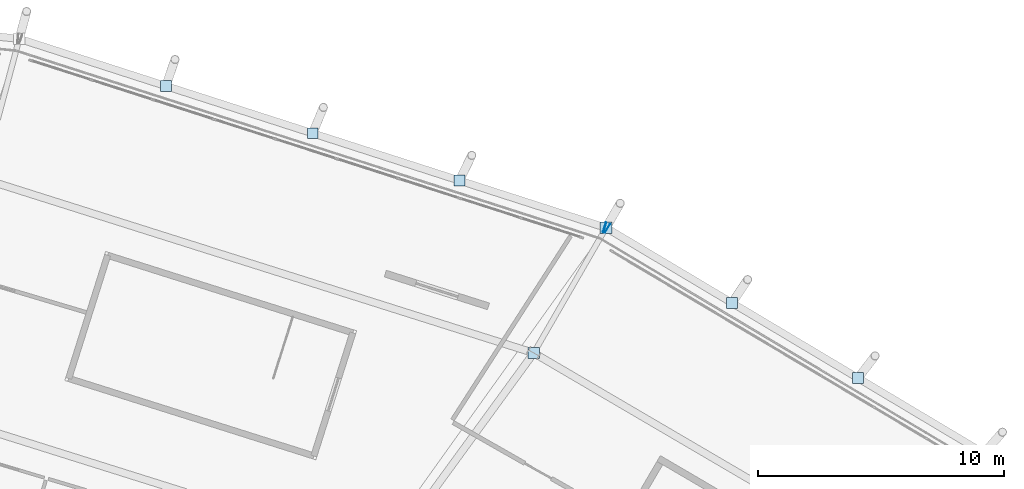
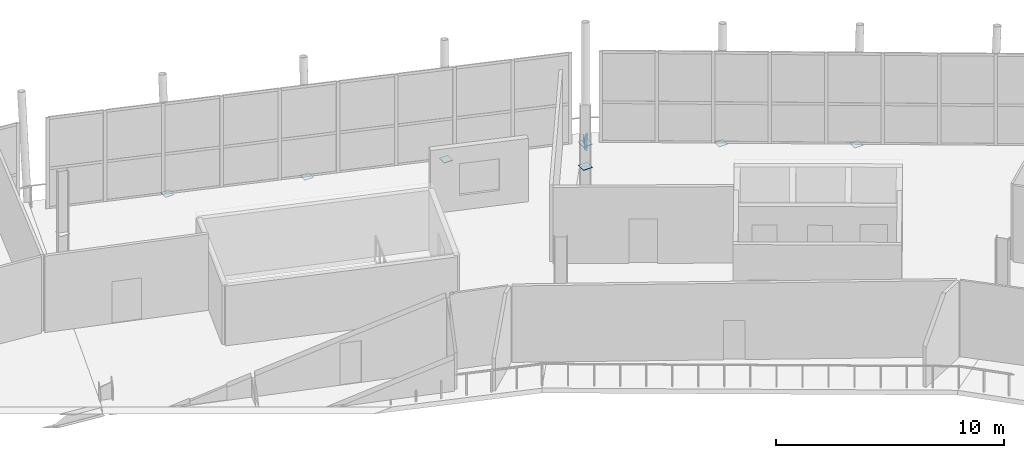
# One storey, part 80 of 99: 9 plates.
"""IFC4 building model written with IfcOpenShell, lengths in metres."""

import ifcopenshell
import ifcopenshell.guid

model = None  # the IFC model being written
_history = None  # IfcOwnerHistory: only IFC2X3 demands one
_inside = {}  # id of a spatial element -> (the spatial element, [elements in it])
_under = {}  # id of a project, library or spatial element -> (it, [spatial elements below it])
_declared = {}  # id of a project -> (the project, [libraries it declares])
_typed = {}  # id of a type object -> (the type object, [elements of that type])
_made_of = {}  # id of a material, layer set ... -> (it, [elements and type objects made of it])


def new_model(schema):
    """Start an empty IFC model of exactly this schema.

    Asked for "IFC4X3", IfcOpenShell would pick the latest addendum, in which some entities
    have other attributes; the version numbers below select the first issue.
    IFC2X3 requires an IfcOwnerHistory on every rooted entity: one is made here for all.
    """
    global model, _history
    if schema == "IFC4X3":
        model = ifcopenshell.file(schema_version=(4, 3, 0, 0))
    else:
        model = ifcopenshell.file(schema=schema)
    _inside.clear()
    _under.clear()
    _declared.clear()
    _typed.clear()
    _made_of.clear()
    _history = None
    if model.schema == "IFC2X3":
        org = make("IfcOrganization", Name="unknown")
        user = make(
            "IfcPersonAndOrganization",
            ThePerson=make("IfcPerson", FamilyName="unknown"),
            TheOrganization=org,
        )
        app = make(
            "IfcApplication",
            ApplicationDeveloper=org,
            Version="unknown",
            ApplicationFullName="unknown",
            ApplicationIdentifier="unknown",
        )
        _history = make(
            "IfcOwnerHistory",
            OwningUser=user,
            OwningApplication=app,
            ChangeAction="ADDED",
            CreationDate=0,
        )
    return model


def make(cls, **values):
    """One entity of the class cls with the attributes given. An attribute that is None is left unset."""
    return model.create_entity(
        cls, **{name: value for name, value in values.items() if value is not None}
    )


def rooted(cls, **values):
    """An entity with a GlobalId (a new one), such as an element, a storey or a relation."""
    return make(cls, GlobalId=ifcopenshell.guid.new(), OwnerHistory=_history, **values)


def si_unit(unit_type, name, prefix=None):
    """IfcSIUnit, for example si_unit("LENGTHUNIT", "METRE", prefix="MILLI")."""
    return make("IfcSIUnit", UnitType=unit_type, Prefix=prefix, Name=name)


def assignment(units):
    """IfcUnitAssignment: the units of a project."""
    return None if units is None else make("IfcUnitAssignment", Units=units)


def point(xyz):
    """IfcCartesianPoint."""
    return None if xyz is None else make("IfcCartesianPoint", Coordinates=xyz)


def direction(xyz):
    """IfcDirection."""
    return None if xyz is None else make("IfcDirection", DirectionRatios=xyz)


def frame(location, z_axis=None, x_axis=None):
    """IfcAxis2Placement3D, a coordinate frame: its origin and axes. An axis left out is left unset."""
    return make(
        "IfcAxis2Placement3D",
        Location=point(location),
        Axis=direction(z_axis),
        RefDirection=direction(x_axis),
    )


def frame_2d(location, x_axis=None):
    """IfcAxis2Placement2D, a coordinate frame in the plane: its origin and x axis."""
    return make(
        "IfcAxis2Placement2D", Location=point(location), RefDirection=direction(x_axis)
    )


def origin():
    """The frame at (0, 0, 0) with its axes left unset."""
    return frame((0.0, 0.0, 0.0))


def origin_2d():
    """The frame at (0, 0) in the plane with its x axis left unset."""
    return frame_2d((0.0, 0.0))


def place(relative_to, where):
    """IfcLocalPlacement: puts the frame where relative to a parent placement (None: the world)."""
    return make(
        "IfcLocalPlacement", PlacementRelTo=relative_to, RelativePlacement=where
    )


def context(
    kind, dimensions, precision=None, world=None, true_north=None, identifier=None
):
    """IfcGeometricRepresentationContext, for example the 3D "Model" context."""
    return make(
        "IfcGeometricRepresentationContext",
        ContextIdentifier=identifier,
        ContextType=kind,
        CoordinateSpaceDimension=dimensions,
        Precision=precision,
        WorldCoordinateSystem=world,
        TrueNorth=true_north,
    )


def subcontext(parent, identifier, kind, view, scale=None):
    """IfcGeometricRepresentationSubContext, for example "Body" below "Model"."""
    return make(
        "IfcGeometricRepresentationSubContext",
        ContextIdentifier=identifier,
        ContextType=kind,
        ParentContext=parent,
        TargetScale=scale,
        TargetView=view,
    )


def project(units=None, contexts=None):
    """IfcProject with its units and contexts."""
    return rooted(
        "IfcProject",
        Name="project",
        RepresentationContexts=contexts,
        UnitsInContext=assignment(units),
    )


def spatial(cls, under=None, at=None, **own):
    """A site, building, storey or space (cls), placed at a placement, below another one or the project."""
    s = rooted(cls, ObjectPlacement=at, **own)
    if under is not None:
        _under.setdefault(under.id(), (under, []))[1].append(s)
    return s


def profile(cls, at=None, kind="AREA", **sizes):
    """A parametric profile (cls). Its sizes go by their IFC names, for example OverallWidth=200.0."""
    return make(cls, ProfileType=kind, Position=at, **sizes)


def rectangle(**sizes):
    """IfcRectangleProfileDef."""
    return profile("IfcRectangleProfileDef", **sizes)


def extrude(swept, where, along, depth):
    """IfcExtrudedAreaSolid: the profile swept, set in the frame where, extruded along a direction by depth."""
    return make(
        "IfcExtrudedAreaSolid",
        SweptArea=swept,
        Position=where,
        ExtrudedDirection=direction(along),
        Depth=depth,
    )


def shape(context_of_items, identifier, shape_type, items):
    """IfcShapeRepresentation: the items that make up one representation, for example the "Body"."""
    return make(
        "IfcShapeRepresentation",
        ContextOfItems=context_of_items,
        RepresentationIdentifier=identifier,
        RepresentationType=shape_type,
        Items=items,
    )


def material(Name=None, Category=None):
    """IfcMaterial."""
    return make("IfcMaterial", Name=Name, Category=Category)


def layer(
    of_material, thickness, ventilated=None, Name=None, Category=None, Priority=None
):
    """IfcMaterialLayer: one layer of a wall or slab, of a material (None: an air gap)."""
    return make(
        "IfcMaterialLayer",
        Material=of_material,
        LayerThickness=thickness,
        IsVentilated=ventilated,
        Name=Name,
        Category=Category,
        Priority=Priority,
    )


def layer_set(layers, Name=None):
    """IfcMaterialLayerSet."""
    return make("IfcMaterialLayerSet", MaterialLayers=layers, LayerSetName=Name)


def made_of(thing, what):
    """Note that an element or type object is made of a material, layer set ...; save() writes the relation."""
    if what is not None:
        _made_of.setdefault(what.id(), (what, []))[1].append(thing)
    return thing


def type_object(cls, material=None, **own):
    """A type object (cls), such as IfcWallType, which elements share."""
    return made_of(rooted(cls, **own), material)


def element(
    cls,
    number,
    at=None,
    inside=None,
    cuts=None,
    type_object=None,
    material=None,
    context=None,
    identifier="Body",
    shape_type=None,
    held_by="IfcProductDefinitionShape",
    body=None,
    shapes=None,
    **own,
):
    """One element of the class cls, such as IfcWall. Its Tag is "e" and its number.

    at: its placement. inside: the storey or other place that contains it. cuts: it is an
    opening in that element (IfcRelVoidsElement). A single representation is given by context,
    identifier, shape_type and body (its items); several are given by shapes. held_by: the class
    of the entity that holds the representations. save() writes the other relations.
    """
    e = rooted(cls, Tag="e%d" % number, ObjectPlacement=at, **own)
    if body is not None:
        shapes = [shape(context, identifier, shape_type, body)]
    if shapes is not None:
        e.Representation = make(held_by, Representations=shapes)
    if inside is not None:
        _inside.setdefault(inside.id(), (inside, []))[1].append(e)
    if cuts is not None:
        rooted(
            "IfcRelVoidsElement", RelatingBuildingElement=cuts, RelatedOpeningElement=e
        )
    if type_object is not None:
        _typed.setdefault(type_object.id(), (type_object, []))[1].append(e)
    return made_of(e, material)


def aggregate(whole, parts):
    """IfcRelAggregates: a whole, such as a stair, and the parts it consists of."""
    return rooted("IfcRelAggregates", RelatingObject=whole, RelatedObjects=parts)


def save(model, path):
    """Write the relations noted so far, then the file.

    IfcRelAggregates (storeys below a building ...), IfcRelContainedInSpatialStructure (elements
    in a storey), IfcRelDefinesByType, IfcRelAssociatesMaterial and IfcRelDeclares: one each for
    every whole, place, type object, material and project.
    """
    for whole, parts in _under.values():
        aggregate(whole, parts)
    for where, things in _inside.values():
        rooted(
            "IfcRelContainedInSpatialStructure",
            RelatedElements=things,
            RelatingStructure=where,
        )
    for kind, things in _typed.values():
        rooted("IfcRelDefinesByType", RelatedObjects=things, RelatingType=kind)
    for what, things in _made_of.values():
        rooted("IfcRelAssociatesMaterial", RelatedObjects=things, RelatingMaterial=what)
    for by, libraries in _declared.values():
        rooted("IfcRelDeclares", RelatingContext=by, RelatedDefinitions=libraries)
    model.write(path)


model = new_model("IFC4")

# Units and contexts
model_context = context("Model", 3, precision=1e-05, world=origin(), true_north=direction((0.0, 1.0)))
body_context = subcontext(model_context, "Body", "Model", "MODEL_VIEW")
ifc_project = project(units=[si_unit("LENGTHUNIT", "METRE"), si_unit("AREAUNIT", "SQUARE_METRE"), si_unit("VOLUMEUNIT", "CUBIC_METRE"), si_unit("PLANEANGLEUNIT", "RADIAN"), si_unit("MASSUNIT", "GRAM", prefix="KILO")], contexts=[model_context])

# Site, building, storey
site_placement = place(None, origin())
site = spatial("IfcSite", under=ifc_project, at=site_placement, CompositionType="ELEMENT")
building_placement = place(site_placement, origin())
building = spatial("IfcBuilding", under=site, at=building_placement, Name="Zlatoyarsky Gate Stadium", CompositionType="ELEMENT")
storey_placement = place(building_placement, frame((0.0, 0.0, 26.199951171875)))
storey = spatial("IfcBuildingStorey", under=building, at=storey_placement, Name="L05", CompositionType="ELEMENT", Elevation=26.199951171875)

# Plates
ifc_material = material(Name="Steel S355", Category="steel")
ifc_layer = layer(ifc_material, 0.02392578125)
ifc_layer_set = layer_set([ifc_layer], Name="Steel S355")
plate_type = type_object("IfcPlateType", Name="STEEL HOLLOW CHORD SPLICE SHEET 24", PredefinedType="SHEET", material=ifc_layer_set)
for number, where, z_axis, x_axis, name in (
    (1, (160.490478515625, 146.547607421875, -0.81005859375), (0.0, 0.0, 1.0), (-0.858777552781, 0.51234862627, 0.0), "Hollow end cap ND-SP1 CAP-L05-SPD-03 B"),
    (2, (160.382080078125, 146.5966796875, -0.81005859375), (0.0, 0.0, 1.0), (-0.951856313904, 0.306544544365, 0.0), "Hollow end cap ND-SP1 CAP-L05-SPD-04 A"),
):
    element("IfcPlate", number, at=place(storey_placement, frame(where, z_axis=z_axis, x_axis=x_axis)), inside=storey, type_object=plate_type, Name=name, PredefinedType="SHEET", context=body_context, shape_type="SweptSolid", body=[
        extrude(rectangle(XDim=0.02392578125, YDim=0.39990234375, at=origin_2d()), origin(), (0.0, 0.0, 1.0), 0.60009765625),
    ])
plate_1_placement = place(storey_placement, frame((160.439208984375, 146.578369140625, -0.572021484375), z_axis=(0.0, 0.0, 1.0), x_axis=(1.0, 0.0, 0.0)))
element("IfcPlate", 3, at=plate_1_placement, inside=storey, type_object=plate_type, Name="Node closure plate ND-SP1 NCAP-L05-RSTR-04", PredefinedType="SHEET", context=body_context, shape_type="SweptSolid", body=[
    extrude(rectangle(XDim=0.47998046875, YDim=0.47998046875, at=origin_2d()), origin(), (0.0, 0.0, 1.0), 0.02392578125),
])
for number, where, z_axis, x_axis, name in (
    (4, (170.67822265625, 140.4697265625, -0.52197265625), (0.0, 0.0, 1.0), (1.0, 0.0, 0.0), "Node closure plate ND-SP1 NCAP-RIB-03-2-3T"),
    (5, (165.55859375, 143.52392578125, -0.52197265625), (0.0, 0.0, 1.0), (1.0, 0.0, 0.0), "Node closure plate ND-SP1 NCAP-RIB-03-3-3T"),
    (6, (154.477294921875, 148.498291015625, -0.52197265625), (0.0, 0.0, 1.0), (1.0, 0.0, 0.0), "Node closure plate ND-SP1 NCAP-RIB-04-1-3T"),
    (7, (148.515380859375, 150.41845703125, -0.52197265625), (0.0, 0.0, 1.0), (1.0, 0.0, 0.0), "Node closure plate ND-SP1 NCAP-RIB-04-2-3T"),
    (8, (142.553466796875, 152.33837890625, -0.52197265625), (0.0, 0.0, 1.0), (1.0, 0.0, 0.0), "Node closure plate ND-SP1 NCAP-RIB-04-3-3T"),
):
    element("IfcPlate", number, at=place(storey_placement, frame(where, z_axis=z_axis, x_axis=x_axis)), inside=storey, type_object=plate_type, Name=name, PredefinedType="SHEET", context=body_context, shape_type="SweptSolid", body=[
        extrude(rectangle(XDim=0.43994140625, YDim=0.43994140625, at=origin_2d()), origin(), (0.0, 0.0, 1.0), 0.02392578125),
    ])
plate_2_placement = place(storey_placement, frame((157.5, 141.48779296875, 2.2880859375), z_axis=(0.0, 0.0, 1.0), x_axis=(1.0, 0.0, 0.0)))
element("IfcPlate", 9, at=plate_2_placement, inside=storey, type_object=plate_type, Name="Node closure plate ND-SP1 NCAP-BPROP-04", PredefinedType="SHEET", context=body_context, shape_type="SweptSolid", body=[
    extrude(rectangle(XDim=0.4599609375, YDim=0.4599609375, at=origin_2d()), origin(), (0.0, 0.0, 1.0), 0.02392578125),
])

save(model, "model.ifc")
